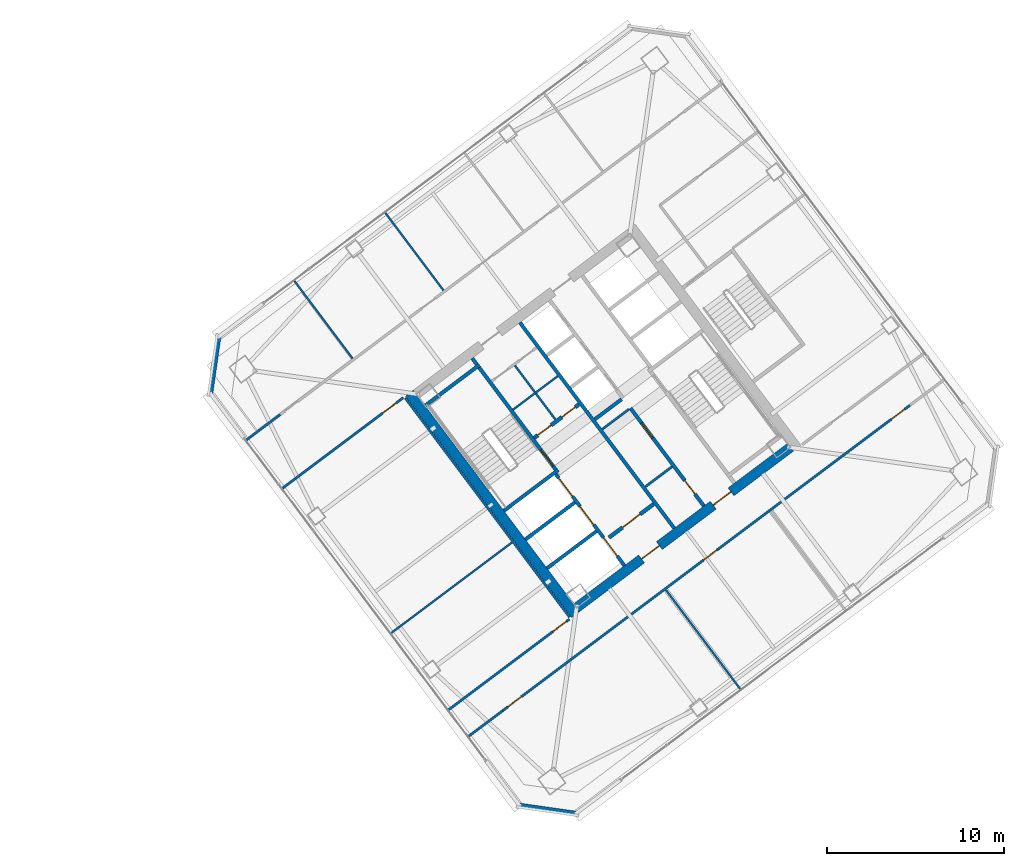
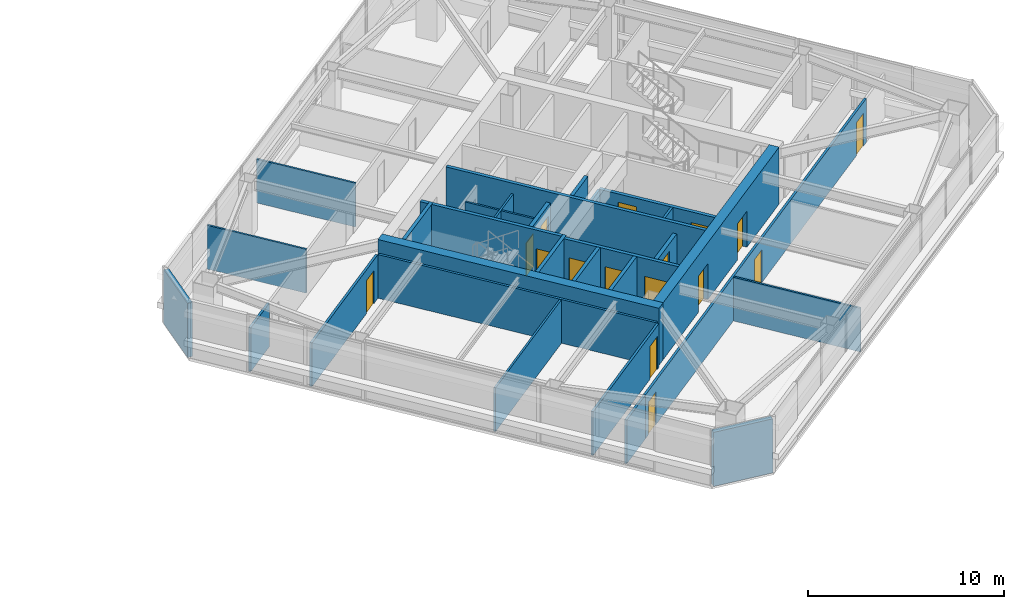
# One storey, part 35 of 43: 29 walls, 16 doors, 16 openings.
"""IFC4 building model written with IfcOpenShell, lengths in metres."""

from ifc_helpers import new_model, si_unit, direction, frame, frame_2d, origin, place, context, subcontext, project, spatial, rectangle, extrude, material, layer, layer_set, type_object, element, fill, save


model = new_model("IFC4")

# Units and contexts
model_context = context("Model", 3, precision=1e-05, world=origin(), true_north=direction((0.0, 1.0)))
body_context = subcontext(model_context, "Body", "Model", "MODEL_VIEW")
ifc_project = project(units=[si_unit("LENGTHUNIT", "METRE"), si_unit("AREAUNIT", "SQUARE_METRE"), si_unit("VOLUMEUNIT", "CUBIC_METRE"), si_unit("PLANEANGLEUNIT", "RADIAN"), si_unit("MASSUNIT", "GRAM", prefix="KILO")], contexts=[model_context])

# Site, building, storey
site_placement = place(None, origin())
site = spatial("IfcSite", under=ifc_project, at=site_placement, CompositionType="ELEMENT")
building_placement = place(site_placement, origin())
building = spatial("IfcBuilding", under=site, at=building_placement, Name="Tashvorn Skyway Center", CompositionType="ELEMENT")
storey_placement = place(building_placement, frame((0.0, 0.0, 160.550048828125)))
storey = spatial("IfcBuildingStorey", under=building, at=storey_placement, Name="L43", CompositionType="ELEMENT", Elevation=160.550048828125)

# Wall
ifc_material_1 = material(Name="Concrete C60/75", Category="concrete")
ifc_layer_1 = layer(ifc_material_1, 0.550048828125)
ifc_layer_set_1 = layer_set([ifc_layer_1], Name="Concrete C60/75")
wall_type_1 = type_object("IfcWallType", Name="WALL-CORE-550", PredefinedType="SHEAR", material=ifc_layer_set_1)
wall_1_placement = place(storey_placement, frame((112.43603515625, 21.076904296875, 0.0), z_axis=(0.0, 0.0, 1.0), x_axis=(-0.600005007985, 0.799996243986, 0.0)))
element("IfcWall", 1, at=wall_1_placement, inside=storey, type_object=wall_type_1, Name="Tower 2 L43 West Core Shear Wall", PredefinedType="SHEAR", context=body_context, shape_type="SweptSolid", body=[
    extrude(rectangle(XDim=15.60009765625, YDim=0.550048828125, at=frame_2d((7.800048828125, 0.0))), origin(), (0.0, 0.0, 1.0), 3.550048828125),
])

# Wall, openings, doors
wall_2_placement = place(storey_placement, frame((124.5390625, 30.498046875, 0.0), z_axis=(0.0, 0.0, 1.0), x_axis=(-0.799998054672, -0.600002593761, 0.0)))
wall_2 = element("IfcWall", 2, at=wall_2_placement, inside=storey, type_object=wall_type_1, Name="Tower 2 L43 South Core Shear Wall", PredefinedType="SHEAR", context=body_context, shape_type="SweptSolid", body=[
    extrude(rectangle(XDim=15.06005859375, YDim=0.550048828125, at=frame_2d((7.530029296875, 0.0))), origin(), (0.0, 0.0, 1.0), 3.550048828125),
])
opening_1_placement = place(wall_2_placement, frame((9.22998046875, 0.0, 0.0)))
opening_1 = element("IfcOpeningElement", 3, at=opening_1_placement, cuts=wall_2, Name="Opening D-FFL-1250", PredefinedType="OPENING", context=body_context, shape_type="SweptSolid", body=[
    extrude(rectangle(XDim=1.25, YDim=2.25, at=frame_2d((0.625, 1.125))), frame((0.0, 0.284912109375, 0.0), z_axis=(0.0, -1.0, 0.0), x_axis=(1.0, 0.0, 0.0)), (0.0, 0.0, 1.0), 0.570068359375),
])
opening_2_placement = place(wall_2_placement, frame((4.179931640625, 0.0, 0.0)))
opening_2 = element("IfcOpeningElement", 4, at=opening_2_placement, cuts=wall_2, Name="Opening D-FFL-1250", PredefinedType="OPENING", context=body_context, shape_type="SweptSolid", body=[
    extrude(rectangle(XDim=1.25, YDim=2.25, at=frame_2d((0.625, 1.125))), frame((0.0, 0.284912109375, 0.0), z_axis=(0.0, -1.0, 0.0), x_axis=(1.0, 0.0, 0.0)), (0.0, 0.0, 1.0), 0.570068359375),
])
ifc_material_2 = material(Name="Hollow galvanized steel fire door assembly", Category="steel")
door_type_1 = type_object("IfcDoorType", Name="DOOR-FFL-1250", OperationType="NOTDEFINED", PredefinedType="DOOR", material=ifc_material_2)
door_1_placement = place(opening_1_placement, origin())
door_1 = element("IfcDoor", 5, at=door_1_placement, inside=storey, type_object=door_type_1, Name="Tower 2 L43 Core South Firefighting Exit Door", OperationType="SINGLE_SWING_LEFT", OverallHeight=2.25, OverallWidth=1.25, PredefinedType="DOOR", context=body_context, shape_type="SweptSolid", body=[
    extrude(rectangle(XDim=1.25, YDim=2.25, at=frame_2d((0.625, 1.125))), frame((0.0, 0.02490234375, 0.0), z_axis=(0.0, -1.0, 0.0), x_axis=(1.0, 0.0, 0.0)), (0.0, 0.0, 1.0), 0.050048828125),
])
fill(opening_1, door_1)
door_2_placement = place(opening_2_placement, origin())
door_2 = element("IfcDoor", 6, at=door_2_placement, inside=storey, type_object=door_type_1, Name="Tower 2 L43 Core South Lift Lobby Door", OperationType="SINGLE_SWING_RIGHT", OverallHeight=2.25, OverallWidth=1.25, PredefinedType="DOOR", context=body_context, shape_type="SweptSolid", body=[
    extrude(rectangle(XDim=1.25, YDim=2.25, at=frame_2d((0.625, 1.125))), frame((0.0, 0.02490234375, 0.0), z_axis=(0.0, -1.0, 0.0), x_axis=(1.0, 0.0, 0.0)), (0.0, 0.0, 1.0), 0.050048828125),
])
fill(opening_2, door_2)

# Walls
ifc_material_3 = material(Name="Precast concrete C40/50", Category="concrete")
ifc_layer_2 = layer(ifc_material_3, 0.280029296875)
ifc_layer_set_2 = layer_set([ifc_layer_2], Name="Precast concrete C40/50")
wall_type_2 = type_object("IfcWallType", Name="WALL-EXT-280", PredefinedType="SOLIDWALL", material=ifc_layer_set_2)
for number, where, z_axis, x_axis, name in (
    (7, (112.47998046875, 9.860107421875, 0.0), (0.0, 0.0, 1.0), (-0.989950994782, 0.141410847992, 0.0), "Tower 2 L43 SW Precast Chamfer Wall"),
    (8, (91.860107421875, 33.52001953125, 0.0), (0.0, 0.0, 1.0), (0.141410847992, 0.989950994782, 0.0), "Tower 2 L43 NW Precast Chamfer Wall"),
):
    element("IfcWall", number, at=place(storey_placement, frame(where, z_axis=z_axis, x_axis=x_axis)), inside=storey, type_object=wall_type_2, Name=name, PredefinedType="SOLIDWALL", context=body_context, shape_type="SweptSolid", body=[
        extrude(rectangle(XDim=3.252685546875, YDim=0.280029296875, at=frame_2d((1.62646484375, 0.0))), origin(), (0.0, 0.0, 1.0), 3.369873046875),
    ])

# Wall, openings, doors
ifc_material_4 = material(Name="Concrete C40/50", Category="concrete")
ifc_layer_3 = layer(ifc_material_4, 0.219970703125)
ifc_layer_set_3 = layer_set([ifc_layer_3], Name="Concrete C40/50")
wall_type_3 = type_object("IfcWallType", Name="WALL-FFL-220", PredefinedType="SOLIDWALL", material=ifc_layer_set_3)
wall_3_placement = place(storey_placement, frame((110.10400390625, 31.028076171875, 0.0), z_axis=(0.0, 0.0, 1.0), x_axis=(0.800018601094, 0.59997519774, 0.0)))
wall_3 = element("IfcWall", 9, at=wall_3_placement, inside=storey, type_object=wall_type_3, Name="Tower 2 L43 Firefighting Lobby North Wall", PredefinedType="SOLIDWALL", context=body_context, shape_type="SweptSolid", body=[
    extrude(rectangle(XDim=3.14990234375, YDim=0.219970703125, at=frame_2d((1.574951171875, 0.0))), origin(), (0.0, 0.0, 1.0), 2.722900390625),
])
opening_3_placement = place(wall_3_placement, frame((0.25, 0.0, 0.0)))
opening_3 = element("IfcOpeningElement", 10, at=opening_3_placement, cuts=wall_3, Name="Opening D-RT-950", PredefinedType="OPENING", context=body_context, shape_type="SweptSolid", body=[
    extrude(rectangle(XDim=0.949951171875, YDim=2.050048828125, at=frame_2d((0.47509765625, 1.02490234375))), frame((0.0, 0.119873046875, 0.0), z_axis=(0.0, -1.0, 0.0), x_axis=(1.0, 0.0, 0.0)), (0.0, 0.0, 1.0), 0.239990234375),
])
opening_4_placement = place(wall_3_placement, frame((1.949951171875, 0.0, 0.0)))
opening_4 = element("IfcOpeningElement", 11, at=opening_4_placement, cuts=wall_3, Name="Opening D-RT-950", PredefinedType="OPENING", context=body_context, shape_type="SweptSolid", body=[
    extrude(rectangle(XDim=0.949951171875, YDim=2.050048828125, at=frame_2d((0.47509765625, 1.02490234375))), frame((0.0, 0.119873046875, 0.0), z_axis=(0.0, -1.0, 0.0), x_axis=(1.0, 0.0, 0.0)), (0.0, 0.0, 1.0), 0.239990234375),
])
door_type_2 = type_object("IfcDoorType", Name="DOOR-RATED-950", OperationType="NOTDEFINED", PredefinedType="DOOR", material=ifc_material_2)
door_3_placement = place(opening_3_placement, origin())
door_3 = element("IfcDoor", 12, at=door_3_placement, inside=storey, type_object=door_type_2, Name="Tower 2 L43 Core Mail Room Door", OperationType="SINGLE_SWING_LEFT", OverallHeight=2.050048828125, OverallWidth=0.949951171875, PredefinedType="DOOR", context=body_context, shape_type="SweptSolid", body=[
    extrude(rectangle(XDim=0.949951171875, YDim=2.050048828125, at=frame_2d((0.47509765625, 1.02490234375))), frame((0.0, 0.02490234375, 0.0), z_axis=(0.0, -1.0, 0.0), x_axis=(1.0, 0.0, 0.0)), (0.0, 0.0, 1.0), 0.050048828125),
])
fill(opening_3, door_3)
door_4_placement = place(opening_4_placement, origin())
door_4 = element("IfcDoor", 13, at=door_4_placement, inside=storey, type_object=door_type_2, Name="Tower 2 L43 Core Supply Closet Door", OperationType="SINGLE_SWING_RIGHT", OverallHeight=2.050048828125, OverallWidth=0.949951171875, PredefinedType="DOOR", context=body_context, shape_type="SweptSolid", body=[
    extrude(rectangle(XDim=0.949951171875, YDim=2.050048828125, at=frame_2d((0.47509765625, 1.02490234375))), frame((0.0, 0.02490234375, 0.0), z_axis=(0.0, -1.0, 0.0), x_axis=(1.0, 0.0, 0.0)), (0.0, 0.0, 1.0), 0.050048828125),
])
fill(opening_4, door_4)

# Wall, opening, door
wall_4_placement = place(storey_placement, frame((114.31591796875, 25.412109375, 0.0), z_axis=(0.0, 0.0, 1.0), x_axis=(0.800018601094, 0.59997519774, 0.0)))
wall_4 = element("IfcWall", 14, at=wall_4_placement, inside=storey, type_object=wall_type_3, Name="Tower 2 L43 Firefighting Lobby South Wall", PredefinedType="SOLIDWALL", context=body_context, shape_type="SweptSolid", body=[
    extrude(rectangle(XDim=3.14990234375, YDim=0.219970703125, at=frame_2d((1.574951171875, 0.0))), origin(), (0.0, 0.0, 1.0), 2.722900390625),
])
opening_5_placement = place(wall_4_placement, frame((0.949951171875, 0.0, 0.0)))
opening_5 = element("IfcOpeningElement", 15, at=opening_5_placement, cuts=wall_4, Name="Opening D-FFL-1250", PredefinedType="OPENING", context=body_context, shape_type="SweptSolid", body=[
    extrude(rectangle(XDim=1.25, YDim=2.25, at=frame_2d((0.625, 1.125))), frame((0.0, 0.119873046875, 0.0), z_axis=(0.0, -1.0, 0.0), x_axis=(1.0, 0.0, 0.0)), (0.0, 0.0, 1.0), 0.239990234375),
])
door_5_placement = place(opening_5_placement, origin())
door_5 = element("IfcDoor", 16, at=door_5_placement, inside=storey, type_object=door_type_1, Name="Tower 2 L43 Firefighting Lobby Egress Door", OperationType="SINGLE_SWING_LEFT", OverallHeight=2.25, OverallWidth=1.25, PredefinedType="DOOR", context=body_context, shape_type="SweptSolid", body=[
    extrude(rectangle(XDim=1.25, YDim=2.25, at=frame_2d((0.625, 1.125))), frame((0.0, 0.02490234375, 0.0), z_axis=(0.0, -1.0, 0.0), x_axis=(1.0, 0.0, 0.0)), (0.0, 0.0, 1.0), 0.050048828125),
])
fill(opening_5, door_5)

# Walls
ifc_material_5 = material(Name="Gypsum board on cold-formed steel stud framing", Category="steel")
ifc_layer_4 = layer(ifc_material_5, 0.110107421875)
ifc_layer_set_4 = layer_set([ifc_layer_4], Name="Gypsum board on cold-formed steel stud framing")
wall_type_4 = type_object("IfcWallType", Name="WALL-PART-110", PredefinedType="PARTITIONING", material=ifc_layer_set_4)
wall_5_placement = place(storey_placement, frame((99.8720703125, 35.50390625, 0.0), z_axis=(0.0, 0.0, 1.0), x_axis=(-0.599992897893, 0.800005326531, 0.0)))
element("IfcWall", 17, at=wall_5_placement, inside=storey, type_object=wall_type_4, Name="Tower 2 L43 North Suite Partition 1", PredefinedType="PARTITIONING", context=body_context, shape_type="SweptSolid", body=[
    extrude(rectangle(XDim=5.500244140625, YDim=0.110107421875, at=frame_2d((2.75, 0.0))), origin(), (0.0, 0.0, 1.0), 2.722900390625),
])
wall_6_placement = place(storey_placement, frame((104.991943359375, 39.343994140625, 0.0), z_axis=(0.0, 0.0, 1.0), x_axis=(-0.600014204577, 0.79998934637, 0.0)))
element("IfcWall", 18, at=wall_6_placement, inside=storey, type_object=wall_type_4, Name="Tower 2 L43 North Suite Partition 2", PredefinedType="PARTITIONING", context=body_context, shape_type="SweptSolid", body=[
    extrude(rectangle(XDim=5.5, YDim=0.110107421875, at=frame_2d((2.75, 0.0))), origin(), (0.0, 0.0, 1.0), 2.722900390625),
])
wall_7_placement = place(storey_placement, frame((121.748046875, 16.8359375, 0.0), z_axis=(0.0, 0.0, 1.0), x_axis=(-0.6, 0.8, 0.0)))
element("IfcWall", 19, at=wall_7_placement, inside=storey, type_object=wall_type_4, Name="Tower 2 L43 South Suite Partition 1", PredefinedType="PARTITIONING", context=body_context, shape_type="SweptSolid", body=[
    extrude(rectangle(XDim=7.030029296875, YDim=0.110107421875, at=frame_2d((3.51513671875, 0.0))), origin(), (0.0, 0.0, 1.0), 2.722900390625),
])
wall_8_placement = place(storey_placement, frame((102.01611328125, 20.011962890625, 0.0), z_axis=(0.0, 0.0, 1.0), x_axis=(0.799989708052, 0.600013722352, 0.0)))
element("IfcWall", 20, at=wall_8_placement, inside=storey, type_object=wall_type_4, Name="Tower 2 L43 West Mid Partition", PredefinedType="PARTITIONING", context=body_context, shape_type="SweptSolid", body=[
    extrude(rectangle(XDim=8.539794921875, YDim=0.110107421875, at=frame_2d((4.27001953125, 0.0))), origin(), (0.0, 0.0, 1.0), 2.722900390625),
])
ifc_layer_5 = layer(ifc_material_5, 0.135009765625)
ifc_layer_set_5 = layer_set([ifc_layer_5], Name="Gypsum board on cold-formed steel stud framing")
wall_type_5 = type_object("IfcWallType", Name="WALL-PART-135", PredefinedType="PARTITIONING", material=ifc_layer_set_5)
wall_9_placement = place(storey_placement, frame((93.85595703125, 30.89208984375, 0.0), z_axis=(0.0, 0.0, 1.0), x_axis=(0.800012055778, 0.599983925293, 0.0)))
element("IfcWall", 21, at=wall_9_placement, inside=storey, type_object=wall_type_5, Name="Tower 2 L43 North-West Suite South Wall", PredefinedType="PARTITIONING", context=body_context, shape_type="SweptSolid", body=[
    extrude(rectangle(XDim=2.43017578125, YDim=0.135009765625, at=frame_2d((1.215087890625, 0.0))), origin(), (0.0, 0.0, 1.0), 2.722900390625),
])

# Wall, openings, doors
wall_10_placement = place(storey_placement, frame((131.281982421875, 32.8740234375, 0.0), z_axis=(0.0, 0.0, 1.0), x_axis=(-0.8, -0.6, 0.0)))
wall_10 = element("IfcWall", 22, at=wall_10_placement, inside=storey, type_object=wall_type_5, Name="Tower 2 L43 South Suite Wall", PredefinedType="PARTITIONING", context=body_context, shape_type="SweptSolid", body=[
    extrude(rectangle(XDim=28.699951171875, YDim=0.135009765625, at=frame_2d((14.35009765625, 0.0))), origin(), (0.0, 0.0, 1.0), 2.722900390625),
])
opening_6_placement = place(wall_10_placement, frame((27.3701171875, 0.0, 0.0)))
opening_6 = element("IfcOpeningElement", 23, at=opening_6_placement, cuts=wall_10, Name="Opening D-INT-950", PredefinedType="OPENING", context=body_context, shape_type="SweptSolid", body=[
    extrude(rectangle(XDim=0.949951171875, YDim=2.050048828125, at=frame_2d((0.47509765625, 1.02490234375))), frame((0.0, 0.077392578125, 0.0), z_axis=(0.0, -1.0, 0.0), x_axis=(1.0, 0.0, 0.0)), (0.0, 0.0, 1.0), 0.155029296875),
])
opening_7_placement = place(wall_10_placement, frame((13.59228515625, 0.0, 0.0)))
opening_7 = element("IfcOpeningElement", 24, at=opening_7_placement, cuts=wall_10, Name="Opening D-INT-950", PredefinedType="OPENING", context=body_context, shape_type="SweptSolid", body=[
    extrude(rectangle(XDim=0.949951171875, YDim=2.050048828125, at=frame_2d((0.47509765625, 1.02490234375))), frame((0.0, 0.077392578125, 0.0), z_axis=(0.0, -1.0, 0.0), x_axis=(1.0, 0.0, 0.0)), (0.0, 0.0, 1.0), 0.155029296875),
])
opening_8_placement = place(wall_10_placement, frame((0.3798828125, 0.0, 0.0)))
opening_8 = element("IfcOpeningElement", 25, at=opening_8_placement, cuts=wall_10, Name="Opening D-INT-950", PredefinedType="OPENING", context=body_context, shape_type="SweptSolid", body=[
    extrude(rectangle(XDim=0.949951171875, YDim=2.050048828125, at=frame_2d((0.47509765625, 1.02490234375))), frame((0.0, 0.077392578125, 0.0), z_axis=(0.0, -1.0, 0.0), x_axis=(1.0, 0.0, 0.0)), (0.0, 0.0, 1.0), 0.155029296875),
])
ifc_material_6 = material(Name="Solid-core architectural oak veneer door")
door_type_3 = type_object("IfcDoorType", Name="DOOR-INT-950", OperationType="NOTDEFINED", PredefinedType="DOOR", material=ifc_material_6)
door_6_placement = place(opening_6_placement, origin())
door_6 = element("IfcDoor", 26, at=door_6_placement, inside=storey, type_object=door_type_3, Name="Tower 2 L43 Research Library Door", OperationType="SINGLE_SWING_RIGHT", OverallHeight=2.050048828125, OverallWidth=0.949951171875, PredefinedType="DOOR", context=body_context, shape_type="SweptSolid", body=[
    extrude(rectangle(XDim=0.949951171875, YDim=2.050048828125, at=frame_2d((0.47509765625, 1.02490234375))), frame((0.0, 0.02490234375, 0.0), z_axis=(0.0, -1.0, 0.0), x_axis=(1.0, 0.0, 0.0)), (0.0, 0.0, 1.0), 0.050048828125),
])
fill(opening_6, door_6)
door_7_placement = place(opening_7_placement, origin())
door_7 = element("IfcDoor", 27, at=door_7_placement, inside=storey, type_object=door_type_3, Name="Tower 2 L43 Staff Fitness Club Door", OperationType="SINGLE_SWING_LEFT", OverallHeight=2.050048828125, OverallWidth=0.949951171875, PredefinedType="DOOR", context=body_context, shape_type="SweptSolid", body=[
    extrude(rectangle(XDim=0.949951171875, YDim=2.050048828125, at=frame_2d((0.47509765625, 1.02490234375))), frame((0.0, 0.02490234375, 0.0), z_axis=(0.0, -1.0, 0.0), x_axis=(1.0, 0.0, 0.0)), (0.0, 0.0, 1.0), 0.050048828125),
])
fill(opening_7, door_7)
door_8_placement = place(opening_8_placement, origin())
door_8 = element("IfcDoor", 28, at=door_8_placement, inside=storey, type_object=door_type_3, Name="Tower 2 L43 Staff Fitness Club Door", OperationType="SINGLE_SWING_RIGHT", OverallHeight=2.050048828125, OverallWidth=0.949951171875, PredefinedType="DOOR", context=body_context, shape_type="SweptSolid", body=[
    extrude(rectangle(XDim=0.949951171875, YDim=2.050048828125, at=frame_2d((0.47509765625, 1.02490234375))), frame((0.0, 0.02490234375, 0.0), z_axis=(0.0, -1.0, 0.0), x_axis=(1.0, 0.0, 0.0)), (0.0, 0.0, 1.0), 0.050048828125),
])
fill(opening_8, door_8)

# Walls
wall_11_placement = place(storey_placement, frame((106.3779296875, 14.196044921875, 0.0), z_axis=(0.0, 0.0, 1.0), x_axis=(0.800012055778, 0.599983925293, 0.0)))
element("IfcWall", 29, at=wall_11_placement, inside=storey, type_object=wall_type_5, Name="Tower 2 L43 South-West Suite North Wall", PredefinedType="PARTITIONING", context=body_context, shape_type="SweptSolid", body=[
    extrude(rectangle(XDim=2.43017578125, YDim=0.135009765625, at=frame_2d((1.215087890625, 0.0))), origin(), (0.0, 0.0, 1.0), 2.722900390625),
])
wall_12_placement = place(storey_placement, frame((112.10400390625, 20.927978515625, 0.0), z_axis=(0.0, 0.0, 1.0), x_axis=(-0.599994940075, 0.800003794918, 0.0)))
element("IfcWall", 30, at=wall_12_placement, inside=storey, type_object=wall_type_5, Name="Tower 2 L43 West Inner Suite Wall", PredefinedType="PARTITIONING", context=body_context, shape_type="SweptSolid", body=[
    extrude(rectangle(XDim=15.43994140625, YDim=0.135009765625, at=frame_2d((7.719970703125, 0.0))), origin(), (0.0, 0.0, 1.0), 2.722900390625),
])

# Wall, opening, door
wall_13_placement = place(storey_placement, frame((102.72802734375, 33.2958984375, 0.0), z_axis=(0.0, 0.0, 1.0), x_axis=(-0.800013722153, -0.59998170336, 0.0)))
wall_13 = element("IfcWall", 31, at=wall_13_placement, inside=storey, type_object=wall_type_5, Name="Tower 2 L43 West Suite North Wall", PredefinedType="PARTITIONING", context=body_context, shape_type="SweptSolid", body=[
    extrude(rectangle(XDim=8.539794921875, YDim=0.135009765625, at=frame_2d((4.27001953125, 0.0))), origin(), (0.0, 0.0, 1.0), 2.722900390625),
])
opening_9_placement = place(wall_13_placement, frame((0.5, 0.0, 0.0)))
opening_9 = element("IfcOpeningElement", 32, at=opening_9_placement, cuts=wall_13, Name="Opening D-INT-950", PredefinedType="OPENING", context=body_context, shape_type="SweptSolid", body=[
    extrude(rectangle(XDim=0.949951171875, YDim=2.050048828125, at=frame_2d((0.47509765625, 1.02490234375))), frame((0.0, 0.077392578125, 0.0), z_axis=(0.0, -1.0, 0.0), x_axis=(1.0, 0.0, 0.0)), (0.0, 0.0, 1.0), 0.155029296875),
])
door_9_placement = place(opening_9_placement, origin())
door_9 = element("IfcDoor", 33, at=door_9_placement, inside=storey, type_object=door_type_3, Name="Tower 2 L43 Design Studio Door", OperationType="SINGLE_SWING_LEFT", OverallHeight=2.050048828125, OverallWidth=0.949951171875, PredefinedType="DOOR", context=body_context, shape_type="SweptSolid", body=[
    extrude(rectangle(XDim=0.949951171875, YDim=2.050048828125, at=frame_2d((0.47509765625, 1.02490234375))), frame((0.0, 0.02490234375, 0.0), z_axis=(0.0, -1.0, 0.0), x_axis=(1.0, 0.0, 0.0)), (0.0, 0.0, 1.0), 0.050048828125),
])
fill(opening_9, door_9)

wall_14_placement = place(storey_placement, frame((105.256103515625, 15.69189453125, 0.0), z_axis=(0.0, 0.0, 1.0), x_axis=(0.799989708052, 0.600013722352, 0.0)))
wall_14 = element("IfcWall", 34, at=wall_14_placement, inside=storey, type_object=wall_type_5, Name="Tower 2 L43 West Suite South Wall", PredefinedType="PARTITIONING", context=body_context, shape_type="SweptSolid", body=[
    extrude(rectangle(XDim=8.539794921875, YDim=0.135009765625, at=frame_2d((4.27001953125, 0.0))), origin(), (0.0, 0.0, 1.0), 2.722900390625),
])
opening_10_placement = place(wall_14_placement, frame((7.3798828125, 0.0, 0.0)))
opening_10 = element("IfcOpeningElement", 35, at=opening_10_placement, cuts=wall_14, Name="Opening D-INT-950", PredefinedType="OPENING", context=body_context, shape_type="SweptSolid", body=[
    extrude(rectangle(XDim=0.949951171875, YDim=2.050048828125, at=frame_2d((0.47509765625, 1.02490234375))), frame((0.0, 0.077392578125, 0.0), z_axis=(0.0, -1.0, 0.0), x_axis=(1.0, 0.0, 0.0)), (0.0, 0.0, 1.0), 0.155029296875),
])
door_10_placement = place(opening_10_placement, origin())
door_10 = element("IfcDoor", 36, at=door_10_placement, inside=storey, type_object=door_type_3, Name="Tower 2 L43 Public Restroom Door", OperationType="SINGLE_SWING_RIGHT", OverallHeight=2.050048828125, OverallWidth=0.949951171875, PredefinedType="DOOR", context=body_context, shape_type="SweptSolid", body=[
    extrude(rectangle(XDim=0.949951171875, YDim=2.050048828125, at=frame_2d((0.47509765625, 1.02490234375))), frame((0.0, 0.02490234375, 0.0), z_axis=(0.0, -1.0, 0.0), x_axis=(1.0, 0.0, 0.0)), (0.0, 0.0, 1.0), 0.050048828125),
])
fill(opening_10, door_10)

# Walls
ifc_layer_6 = layer(ifc_material_5, 0.110107421875)
ifc_layer_set_6 = layer_set([ifc_layer_6], Name="Gypsum board on cold-formed steel stud framing")
wall_type_6 = type_object("IfcWallType", Name="WALL-RATED-110", PredefinedType="PARTITIONING", material=ifc_layer_set_6)
wall_15_placement = place(storey_placement, frame((111.2958984375, 32.072021484375, 0.0), z_axis=(0.0, 0.0, 1.0), x_axis=(-0.59995887973, 0.800030838552, 0.0)))
element("IfcWall", 37, at=wall_15_placement, inside=storey, type_object=wall_type_6, Name="Tower 2 L43 Core Cross Vertical", PredefinedType="PARTITIONING", context=body_context, shape_type="SweptSolid", body=[
    extrude(rectangle(XDim=3.7998046875, YDim=0.110107421875, at=frame_2d((1.89990234375, 0.0))), origin(), (0.0, 0.0, 1.0), 2.722900390625),
])
wall_16_placement = place(storey_placement, frame((108.909912109375, 32.6201171875, 0.0), z_axis=(0.0, 0.0, 1.0), x_axis=(0.800018601094, 0.59997519774, 0.0)))
element("IfcWall", 38, at=wall_16_placement, inside=storey, type_object=wall_type_6, Name="Tower 2 L43 Core Cross Horizontal", PredefinedType="PARTITIONING", context=body_context, shape_type="SweptSolid", body=[
    extrude(rectangle(XDim=3.14990234375, YDim=0.110107421875, at=frame_2d((1.574951171875, 0.0))), origin(), (0.0, 0.0, 1.0), 2.722900390625),
])
ifc_layer_7 = layer(ifc_material_5, 0.135009765625)
ifc_layer_set_7 = layer_set([ifc_layer_7], Name="Gypsum board on cold-formed steel stud framing")
wall_type_7 = type_object("IfcWallType", Name="WALL-RATED-135", PredefinedType="PARTITIONING", material=ifc_layer_set_7)
for number, where, z_axis, x_axis, name in (
    (39, (113.946044921875, 31.52197265625, 0.0), (0.0, 0.0, 1.0), (0.8, 0.6, 0.0), "Tower 2 L43 Core Room Partition"),
    (40, (116.3759765625, 28.281982421875, 0.0), (0.0, 0.0, 1.0), (0.8, 0.6, 0.0), "Tower 2 L43 Freed Core Partition"),
):
    element("IfcWall", number, at=place(storey_placement, frame(where, z_axis=z_axis, x_axis=x_axis)), inside=storey, type_object=wall_type_7, Name=name, PredefinedType="PARTITIONING", context=body_context, shape_type="SweptSolid", body=[
        extrude(rectangle(XDim=1.8798828125, YDim=0.135009765625, at=frame_2d((0.93994140625, 0.0))), origin(), (0.0, 0.0, 1.0), 2.722900390625),
    ])
ifc_layer_8 = layer(ifc_material_4, 0.199951171875)
ifc_layer_set_8 = layer_set([ifc_layer_8], Name="Concrete C40/50")
wall_type_8 = type_object("IfcWallType", Name="WALL-SHAFT-200", PredefinedType="SOLIDWALL", material=ifc_layer_set_8)
for number, where, z_axis, x_axis, name in (
    (41, (110.825927734375, 23.681884765625, 0.0), (0.0, 0.0, 1.0), (0.8, 0.6, 0.0), "Tower 2 L43 FSAE Shaft Divider"),
    (42, (109.60791015625, 25.305908203125, 0.0), (0.0, 0.0, 1.0), (0.8, 0.6, 0.0), "Tower 2 L43 FSAE Shaft Divider"),
):
    element("IfcWall", number, at=place(storey_placement, frame(where, z_axis=z_axis, x_axis=x_axis)), inside=storey, type_object=wall_type_8, Name=name, PredefinedType="SOLIDWALL", context=body_context, shape_type="SweptSolid", body=[
        extrude(rectangle(XDim=3.480224609375, YDim=0.199951171875, at=frame_2d((1.740234375, 0.0))), origin(), (0.0, 0.0, 1.0), 3.369873046875),
    ])

# Wall, openings, doors
wall_17_placement = place(storey_placement, frame((119.669921875, 27.18994140625, 0.0), z_axis=(0.0, 0.0, 1.0), x_axis=(-0.599988677396, 0.800008491828, 0.0)))
wall_17 = element("IfcWall", 43, at=wall_17_placement, inside=storey, type_object=wall_type_8, Name="Tower 2 L43 Low-Rise Core Wall", PredefinedType="SOLIDWALL", context=body_context, shape_type="SweptSolid", body=[
    extrude(rectangle(XDim=6.89990234375, YDim=0.199951171875, at=frame_2d((3.449951171875, 0.0))), origin(), (0.0, 0.0, 1.0), 2.722900390625),
])
opening_11_placement = place(wall_17_placement, frame((0.85009765625, 0.0, 0.0)))
opening_11 = element("IfcOpeningElement", 44, at=opening_11_placement, cuts=wall_17, Name="Opening D-RT-950", PredefinedType="OPENING", context=body_context, shape_type="SweptSolid", body=[
    extrude(rectangle(XDim=0.949951171875, YDim=2.050048828125, at=frame_2d((0.47509765625, 1.02490234375))), frame((0.0, 0.10986328125, 0.0), z_axis=(0.0, -1.0, 0.0), x_axis=(1.0, 0.0, 0.0)), (0.0, 0.0, 1.0), 0.219970703125),
])
opening_12_placement = place(wall_17_placement, frame((4.800048828125, 0.0, 0.0)))
opening_12 = element("IfcOpeningElement", 45, at=opening_12_placement, cuts=wall_17, Name="Opening D-RT-1050", PredefinedType="OPENING", context=body_context, shape_type="SweptSolid", body=[
    extrude(rectangle(XDim=1.050048828125, YDim=2.199951171875, at=frame_2d((0.52490234375, 1.10009765625))), frame((0.0, 0.10986328125, 0.0), z_axis=(0.0, -1.0, 0.0), x_axis=(1.0, 0.0, 0.0)), (0.0, 0.0, 1.0), 0.219970703125),
])
door_type_4 = type_object("IfcDoorType", Name="DOOR-RATED-1050", OperationType="NOTDEFINED", PredefinedType="DOOR", material=ifc_material_2)
door_11_placement = place(opening_12_placement, origin())
door_11 = element("IfcDoor", 46, at=door_11_placement, inside=storey, type_object=door_type_4, Name="Tower 2 L43 Freed Core Room Door", OperationType="SINGLE_SWING_RIGHT", OverallHeight=2.199951171875, OverallWidth=1.050048828125, PredefinedType="DOOR", context=body_context, shape_type="SweptSolid", body=[
    extrude(rectangle(XDim=1.050048828125, YDim=2.199951171875, at=frame_2d((0.52490234375, 1.10009765625))), frame((0.0, 0.02490234375, 0.0), z_axis=(0.0, -1.0, 0.0), x_axis=(1.0, 0.0, 0.0)), (0.0, 0.0, 1.0), 0.050048828125),
])
fill(opening_12, door_11)
door_12_placement = place(opening_11_placement, origin())
door_12 = element("IfcDoor", 47, at=door_12_placement, inside=storey, type_object=door_type_2, Name="Tower 2 L43 Core Print Room Door", OperationType="SINGLE_SWING_LEFT", OverallHeight=2.050048828125, OverallWidth=0.949951171875, PredefinedType="DOOR", context=body_context, shape_type="SweptSolid", body=[
    extrude(rectangle(XDim=0.949951171875, YDim=2.050048828125, at=frame_2d((0.47509765625, 1.02490234375))), frame((0.0, 0.02490234375, 0.0), z_axis=(0.0, -1.0, 0.0), x_axis=(1.0, 0.0, 0.0)), (0.0, 0.0, 1.0), 0.050048828125),
])
fill(opening_11, door_12)

# Wall
wall_18_placement = place(storey_placement, frame((113.52587890625, 32.08203125, 0.0), z_axis=(0.0, 0.0, 1.0), x_axis=(0.800046745961, 0.599937666993, 0.0)))
element("IfcWall", 48, at=wall_18_placement, inside=storey, type_object=wall_type_8, Name="Tower 2 L43 Mid-Rise Shaft Divider", PredefinedType="SOLIDWALL", context=body_context, shape_type="SweptSolid", body=[
    extrude(rectangle(XDim=1.880126953125, YDim=0.199951171875, at=frame_2d((0.93994140625, 0.0))), origin(), (0.0, 0.0, 1.0), 3.369873046875),
])

# Wall, opening, door
ifc_layer_9 = layer(ifc_material_4, 0.199951171875)
ifc_layer_set_9 = layer_set([ifc_layer_9], Name="Concrete C40/50")
wall_type_9 = type_object("IfcWallType", Name="WALL-STSHF-200", PredefinedType="SHEAR", material=ifc_layer_set_9)
wall_19_placement = place(storey_placement, frame((111.43994140625, 29.080078125, 0.0), z_axis=(0.0, 0.0, 1.0), x_axis=(-0.59999029481, 0.8000072788, 0.0)))
wall_19 = element("IfcWall", 49, at=wall_19_placement, inside=storey, type_object=wall_type_9, Name="Tower 2 L43 Stair 1 Enclosure Wall", PredefinedType="SHEAR", context=body_context, shape_type="SweptSolid", body=[
    extrude(rectangle(XDim=8.0498046875, YDim=0.199951171875, at=frame_2d((4.02490234375, 0.0))), origin(), (0.0, 0.0, 1.0), 3.369873046875),
])
opening_13_placement = place(wall_19_placement, frame((0.449951171875, 0.0, 0.0)))
opening_13 = element("IfcOpeningElement", 50, at=opening_13_placement, cuts=wall_19, Name="Opening D-ST-1150", PredefinedType="OPENING", context=body_context, shape_type="SweptSolid", body=[
    extrude(rectangle(XDim=1.14990234375, YDim=2.199951171875, at=frame_2d((0.574951171875, 1.10009765625))), frame((0.0, 0.10986328125, 0.0), z_axis=(0.0, -1.0, 0.0), x_axis=(1.0, 0.0, 0.0)), (0.0, 0.0, 1.0), 0.219970703125),
])
door_type_5 = type_object("IfcDoorType", Name="DOOR-STAIR-1150", OperationType="NOTDEFINED", PredefinedType="DOOR", material=ifc_material_2)
door_13_placement = place(opening_13_placement, origin())
door_13 = element("IfcDoor", 51, at=door_13_placement, inside=storey, type_object=door_type_5, Name="Tower 2 L43 Exit Stair 1 Door", OperationType="SINGLE_SWING_RIGHT", OverallHeight=2.199951171875, OverallWidth=1.14990234375, PredefinedType="DOOR", context=body_context, shape_type="SweptSolid", body=[
    extrude(rectangle(XDim=1.14990234375, YDim=2.199951171875, at=frame_2d((0.574951171875, 1.10009765625))), frame((0.0, 0.02490234375, 0.0), z_axis=(0.0, -1.0, 0.0), x_axis=(1.0, 0.0, 0.0)), (0.0, 0.0, 1.0), 0.050048828125),
])
fill(opening_13, door_13)

# Walls
for number, where, z_axis, x_axis, name in (
    (52, (108.39599609375, 26.922119140625, 0.0), (0.0, 0.0, 1.0), (0.800015298837, 0.599979601008, 0.0), "Tower 2 L43 Stair 1 South Wall"),
    (53, (103.9560546875, 32.842041015625, 0.0), (0.0, 0.0, 1.0), (0.800015298837, 0.599979601008, 0.0), "Tower 2 L43 Stair 1 North Wall"),
):
    element("IfcWall", number, at=place(storey_placement, frame(where, z_axis=z_axis, x_axis=x_axis)), inside=storey, type_object=wall_type_9, Name=name, PredefinedType="SHEAR", context=body_context, shape_type="SweptSolid", body=[
        extrude(rectangle(XDim=3.829833984375, YDim=0.199951171875, at=frame_2d((1.9150390625, 0.0))), origin(), (0.0, 0.0, 1.0), 3.369873046875),
    ])
wall_20_placement = place(storey_placement, frame((117.998046875, 25.93603515625, 0.0), z_axis=(0.0, 0.0, 1.0), x_axis=(-0.600002693989, 0.799997979501, 0.0)))
element("IfcWall", 54, at=wall_20_placement, inside=storey, type_object=wall_type_9, Name="Tower 2 L43 Firefighting Lobby East Smoke Barrier", PredefinedType="SHEAR", context=body_context, shape_type="SweptSolid", body=[
    extrude(rectangle(XDim=14.499755859375, YDim=0.199951171875, at=frame_2d((7.25, 0.0))), origin(), (0.0, 0.0, 1.0), 3.369873046875),
])

# Wall, openings, doors
wall_21_placement = place(storey_placement, frame((115.18994140625, 23.830078125, 0.0), z_axis=(0.0, 0.0, 1.0), x_axis=(-0.599993943644, 0.800004542231, 0.0)))
wall_21 = element("IfcWall", 55, at=wall_21_placement, inside=storey, type_object=wall_type_9, Name="Tower 2 L43 FSAE and Goods Shaft Front Wall", PredefinedType="SHEAR", context=body_context, shape_type="SweptSolid", body=[
    extrude(rectangle(XDim=6.449951171875, YDim=0.199951171875, at=frame_2d((3.22509765625, 0.0))), origin(), (0.0, 0.0, 1.0), 3.369873046875),
])
opening_14_placement = place(wall_21_placement, frame((4.875, 0.0, 0.0)))
opening_14 = element("IfcOpeningElement", 56, at=opening_14_placement, cuts=wall_21, Name="Opening LD-FF-T2-1-L43", PredefinedType="OPENING", context=body_context, shape_type="SweptSolid", body=[
    extrude(rectangle(XDim=1.300048828125, YDim=2.25, at=frame_2d((0.64990234375, 1.125))), frame((0.0, 0.10986328125, 0.0), z_axis=(0.0, -1.0, 0.0), x_axis=(1.0, 0.0, 0.0)), (0.0, 0.0, 1.0), 0.219970703125),
])
opening_15_placement = place(wall_21_placement, frame((2.875, 0.0, 0.0)))
opening_15 = element("IfcOpeningElement", 57, at=opening_15_placement, cuts=wall_21, Name="Opening LD-FF-T2-2-L43", PredefinedType="OPENING", context=body_context, shape_type="SweptSolid", body=[
    extrude(rectangle(XDim=1.300048828125, YDim=2.25, at=frame_2d((0.64990234375, 1.125))), frame((0.0, 0.10986328125, 0.0), z_axis=(0.0, -1.0, 0.0), x_axis=(1.0, 0.0, 0.0)), (0.0, 0.0, 1.0), 0.219970703125),
])
opening_16_placement = place(wall_21_placement, frame((0.675048828125, 0.0, 0.0)))
opening_16 = element("IfcOpeningElement", 58, at=opening_16_placement, cuts=wall_21, Name="Opening LD-GD-T2-1-L43", PredefinedType="OPENING", context=body_context, shape_type="SweptSolid", body=[
    extrude(rectangle(XDim=1.300048828125, YDim=2.25, at=frame_2d((0.64990234375, 1.125))), frame((0.0, 0.10986328125, 0.0), z_axis=(0.0, -1.0, 0.0), x_axis=(1.0, 0.0, 0.0)), (0.0, 0.0, 1.0), 0.219970703125),
])
ifc_material_7 = material(Name="Stainless steel heavy-duty landing door", Category="steel")
door_type_6 = type_object("IfcDoorType", Name="DOOR-LIFT-1300", OperationType="SLIDING_TO_LEFT", PredefinedType="DOOR", material=ifc_material_7)
door_14_placement = place(opening_14_placement, origin())
door_14 = element("IfcDoor", 59, at=door_14_placement, inside=storey, type_object=door_type_6, Name="Lift FF-T2-1 L43 Landing Door", OperationType="SLIDING_TO_LEFT", OverallHeight=2.25, OverallWidth=1.300048828125, PredefinedType="DOOR", context=body_context, shape_type="SweptSolid", body=[
    extrude(rectangle(XDim=1.300048828125, YDim=2.25, at=frame_2d((0.64990234375, 1.125))), frame((0.0, 0.02490234375, 0.0), z_axis=(0.0, -1.0, 0.0), x_axis=(1.0, 0.0, 0.0)), (0.0, 0.0, 1.0), 0.050048828125),
])
fill(opening_14, door_14)
door_15_placement = place(opening_15_placement, origin())
door_15 = element("IfcDoor", 60, at=door_15_placement, inside=storey, type_object=door_type_6, Name="Lift FF-T2-2 L43 Landing Door", OperationType="SLIDING_TO_LEFT", OverallHeight=2.25, OverallWidth=1.300048828125, PredefinedType="DOOR", context=body_context, shape_type="SweptSolid", body=[
    extrude(rectangle(XDim=1.300048828125, YDim=2.25, at=frame_2d((0.64990234375, 1.125))), frame((0.0, 0.02490234375, 0.0), z_axis=(0.0, -1.0, 0.0), x_axis=(1.0, 0.0, 0.0)), (0.0, 0.0, 1.0), 0.050048828125),
])
fill(opening_15, door_15)
door_16_placement = place(opening_16_placement, origin())
door_16 = element("IfcDoor", 61, at=door_16_placement, inside=storey, type_object=door_type_6, Name="Lift GD-T2-1 L43 Landing Door", OperationType="SLIDING_TO_LEFT", OverallHeight=2.25, OverallWidth=1.300048828125, PredefinedType="DOOR", context=body_context, shape_type="SweptSolid", body=[
    extrude(rectangle(XDim=1.300048828125, YDim=2.25, at=frame_2d((0.64990234375, 1.125))), frame((0.0, 0.02490234375, 0.0), z_axis=(0.0, -1.0, 0.0), x_axis=(1.0, 0.0, 0.0)), (0.0, 0.0, 1.0), 0.050048828125),
])
fill(opening_16, door_16)

save(model, "model.ifc")
